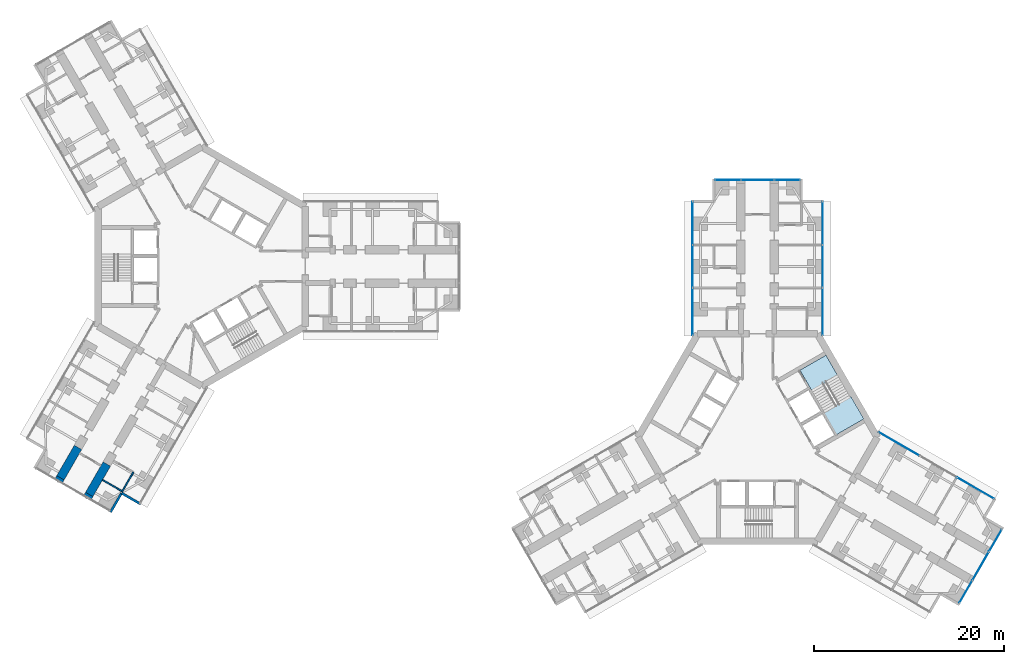
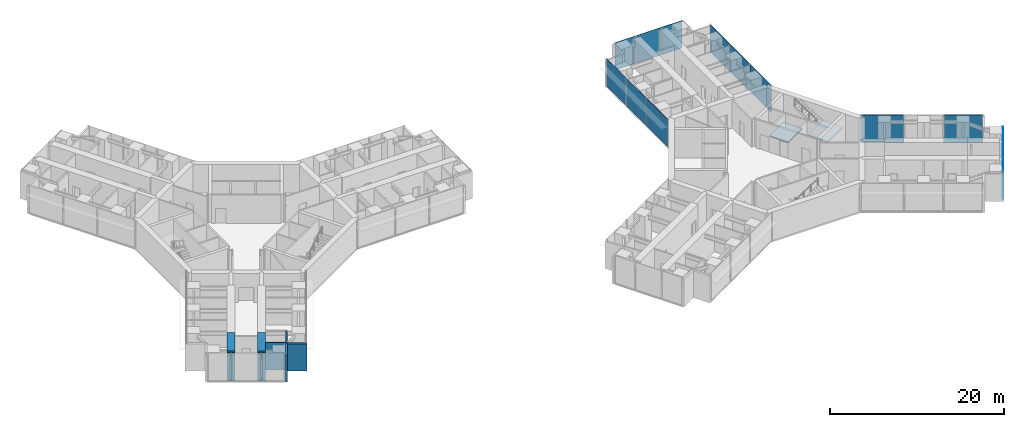
# One storey, part 15 of 24: 14 plates, 8 walls, 2 slabs, 6 elements without a shape of their own.
"""IFC4 building model written with IfcOpenShell, lengths in metres."""

from ifc_helpers import new_model, si_unit, direction, frame, frame_2d, origin, origin_2d, place, context, subcontext, project, spatial, polyline, rectangle, outline, extrude, material, layer, layer_set, type_object, element, aggregate, save


model = new_model("IFC4")

# Units and contexts
model_context = context("Model", 3, precision=1e-05, world=origin(), true_north=direction((0.0, 1.0)))
body_context = subcontext(model_context, "Body", "Model", "MODEL_VIEW")
ifc_project = project(units=[si_unit("LENGTHUNIT", "METRE"), si_unit("AREAUNIT", "SQUARE_METRE"), si_unit("VOLUMEUNIT", "CUBIC_METRE"), si_unit("PLANEANGLEUNIT", "RADIAN"), si_unit("MASSUNIT", "GRAM", prefix="KILO")], contexts=[model_context])

# Site, building, storey
site_placement = place(None, origin())
site = spatial("IfcSite", under=ifc_project, at=site_placement, CompositionType="ELEMENT")
building_placement = place(site_placement, origin())
building = spatial("IfcBuilding", under=site, at=building_placement, Name="Upepo Twin Towers", CompositionType="ELEMENT")
storey_placement = place(building_placement, frame((0.0, 0.0, 48.5)))
storey = spatial("IfcBuildingStorey", under=building, at=storey_placement, Name="L11", CompositionType="ELEMENT", Elevation=48.5)

# Curtain wall, plates
ifc_material_1 = material(Name="Aluminium and fritted glass", Category="aluminium")
curtain_wall_type = type_object("IfcCurtainWallType", Name="Tower curtain wall TW1, fritted glass", PredefinedType="NOTDEFINED", material=ifc_material_1)
curtain_wall_1_placement = place(storey_placement, origin())
curtain_wall_1 = element("IfcCurtainWall", 1, at=curtain_wall_1_placement, inside=storey, type_object=curtain_wall_type, Name="T2 L11 wing A flank L curtain wall", PredefinedType="NOTDEFINED")
ifc_material_2 = material(Name="Ceramic-fritted laminated glass", Category="glass")
ifc_layer_1 = layer(ifc_material_2, 0.031982421875)
ifc_layer_set_1 = layer_set([ifc_layer_1], Name="Fritted glass panel, 25 per cent dot frit, 32 mm double glazed")
plate_type_1 = type_object("IfcPlateType", Name="Fritted glass panel, 25 per cent dot frit, 32 mm double glazed", PredefinedType="CURTAIN_PANEL", material=ifc_layer_set_1)
plate_1_placement = place(storey_placement, frame((51.64990234375, -4.76513671875, 0.14990234375), z_axis=(0.0, 0.0, 1.0), x_axis=(0.0, 1.0, 0.0)))
plate_1 = element("IfcPlate", 2, at=plate_1_placement, type_object=plate_type_1, Name="T2 L11 wing A flank L curtain wall panel 1", PredefinedType="CURTAIN_PANEL", context=body_context, shape_type="SweptSolid", body=[
    extrude(rectangle(XDim=4.96533203125, YDim=0.031982421875, at=origin_2d()), origin(), (0.0, 0.0, 1.0), 3.85009765625),
])
plate_2_placement = place(storey_placement, frame((51.64990234375, 0.0, 0.14990234375), z_axis=(0.0, 0.0, 1.0), x_axis=(0.0, 1.0, 0.0)))
plate_2 = element("IfcPlate", 3, at=plate_2_placement, type_object=plate_type_1, Name="T2 L11 wing A flank L curtain wall panel 2", PredefinedType="CURTAIN_PANEL", context=body_context, shape_type="SweptSolid", body=[
    extrude(rectangle(XDim=4.43505859375, YDim=0.031982421875, at=origin_2d()), origin(), (0.0, 0.0, 1.0), 3.85009765625),
])
plate_3_placement = place(storey_placement, frame((51.64990234375, 4.53369140625, 0.14990234375), z_axis=(0.0, 0.0, 1.0), x_axis=(0.0, 1.0, 0.0)))
plate_3 = element("IfcPlate", 4, at=plate_3_placement, type_object=plate_type_1, Name="T2 L11 wing A flank L curtain wall panel 3", PredefinedType="CURTAIN_PANEL", context=body_context, shape_type="SweptSolid", body=[
    extrude(rectangle(XDim=4.50244140625, YDim=0.031982421875, at=origin_2d()), origin(), (0.0, 0.0, 1.0), 3.85009765625),
])
aggregate(curtain_wall_1, [plate_1, plate_2, plate_3])

curtain_wall_2_placement = place(storey_placement, origin())
curtain_wall_2 = element("IfcCurtainWall", 5, at=curtain_wall_2_placement, inside=storey, type_object=curtain_wall_type, Name="T2 L11 wing A flank R curtain wall", PredefinedType="NOTDEFINED")
plate_4_placement = place(storey_placement, frame((65.35009765625, 4.53369140625, 0.14990234375), z_axis=(0.0, 0.0, 1.0), x_axis=(0.0, -1.0, 0.0)))
plate_4 = element("IfcPlate", 6, at=plate_4_placement, type_object=plate_type_1, Name="T2 L11 wing A flank R curtain wall panel 1", PredefinedType="CURTAIN_PANEL", context=body_context, shape_type="SweptSolid", body=[
    extrude(rectangle(XDim=4.50244140625, YDim=0.031982421875, at=origin_2d()), origin(), (0.0, 0.0, 1.0), 3.85009765625),
])
plate_5_placement = place(storey_placement, frame((65.35009765625, 0.0, 0.14990234375), z_axis=(0.0, 0.0, 1.0), x_axis=(0.0, -1.0, 0.0)))
plate_5 = element("IfcPlate", 7, at=plate_5_placement, type_object=plate_type_1, Name="T2 L11 wing A flank R curtain wall panel 2", PredefinedType="CURTAIN_PANEL", context=body_context, shape_type="SweptSolid", body=[
    extrude(rectangle(XDim=4.43505859375, YDim=0.031982421875, at=origin_2d()), origin(), (0.0, 0.0, 1.0), 3.85009765625),
])
plate_6_placement = place(storey_placement, frame((65.35009765625, -4.76513671875, 0.14990234375), z_axis=(0.0, 0.0, 1.0), x_axis=(0.0, -1.0, 0.0)))
plate_6 = element("IfcPlate", 8, at=plate_6_placement, type_object=plate_type_1, Name="T2 L11 wing A flank R curtain wall panel 3", PredefinedType="CURTAIN_PANEL", context=body_context, shape_type="SweptSolid", body=[
    extrude(rectangle(XDim=4.96533203125, YDim=0.031982421875, at=origin_2d()), origin(), (0.0, 0.0, 1.0), 3.85009765625),
])
aggregate(curtain_wall_2, [plate_4, plate_5, plate_6])

# Curtain wall, plate
curtain_wall_3_placement = place(storey_placement, origin())
curtain_wall_3 = element("IfcCurtainWall", 9, at=curtain_wall_3_placement, inside=storey, type_object=curtain_wall_type, Name="T2 L11 wing A nose curtain wall", PredefinedType="NOTDEFINED")
plate_7_placement = place(storey_placement, frame((58.5, 9.10009765625, 0.14990234375), z_axis=(0.0, 0.0, 1.0), x_axis=(-1.0, 0.0, 0.0)))
plate_7 = element("IfcPlate", 10, at=plate_7_placement, type_object=plate_type_1, Name="T2 L11 wing A nose curtain wall panel 2", PredefinedType="CURTAIN_PANEL", context=body_context, shape_type="SweptSolid", body=[
    extrude(rectangle(XDim=3.43505859375, YDim=0.031982421875, at=origin_2d()), origin(), (0.0, 0.0, 1.0), 3.85009765625),
])

# Curtain wall, plates
curtain_wall_4_placement = place(storey_placement, origin())
curtain_wall_4 = element("IfcCurtainWall", 11, at=curtain_wall_4_placement, inside=storey, type_object=curtain_wall_type, Name="T2 L11 wing C flank L curtain wall", PredefinedType="NOTDEFINED")
plate_8_placement = place(storey_placement, frame((73.38671875, -18.68505859375, 0.14990234375), z_axis=(0.0, 0.0, 1.0), x_axis=(0.866025389682, -0.500000024426, 0.0)))
plate_8 = element("IfcPlate", 12, at=plate_8_placement, type_object=plate_type_1, Name="T2 L11 wing C flank L curtain wall panel 1", PredefinedType="CURTAIN_PANEL", context=body_context, shape_type="SweptSolid", body=[
    extrude(rectangle(XDim=4.96533203125, YDim=0.031982421875, at=origin_2d()), origin(), (0.0, 0.0, 1.0), 3.85009765625),
])
plate_9_placement = place(storey_placement, frame((81.439697265625, -23.334716796875, 0.14990234375), z_axis=(0.0, 0.0, 1.0), x_axis=(0.866025389682, -0.500000024426, 0.0)))
plate_9 = element("IfcPlate", 13, at=plate_9_placement, type_object=plate_type_1, Name="T2 L11 wing C flank L curtain wall panel 3", PredefinedType="CURTAIN_PANEL", context=body_context, shape_type="SweptSolid", body=[
    extrude(rectangle(XDim=4.50244140625, YDim=0.031982421875, at=origin_2d()), origin(), (0.0, 0.0, 1.0), 3.85009765625),
])
aggregate(curtain_wall_4, [plate_8, plate_9])

# Curtain wall, plate
curtain_wall_5_placement = place(storey_placement, origin())
curtain_wall_5 = element("IfcCurtainWall", 14, at=curtain_wall_5_placement, inside=storey, type_object=curtain_wall_type, Name="T2 L11 wing C nose curtain wall", PredefinedType="NOTDEFINED")
plate_10_placement = place(storey_placement, frame((81.96923828125, -31.550048828125, 0.14990234375), z_axis=(0.0, 0.0, 1.0), x_axis=(0.500000030502, 0.866025386174, 0.0)))
plate_10 = element("IfcPlate", 15, at=plate_10_placement, type_object=plate_type_1, Name="T2 L11 wing C nose curtain wall panel 2", PredefinedType="CURTAIN_PANEL", context=body_context, shape_type="SweptSolid", body=[
    extrude(rectangle(XDim=3.43505859375, YDim=0.031982421875, at=origin_2d()), origin(), (0.0, 0.0, 1.0), 3.85009765625),
])

# Plate
ifc_material_3 = material(Name="Clear laminated glass in opening sash", Category="glass")
ifc_layer_2 = layer(ifc_material_3, 0.031982421875)
ifc_layer_set_2 = layer_set([ifc_layer_2], Name="Operable glass panel, 32 mm double glazed")
plate_type_2 = type_object("IfcPlateType", Name="Operable glass panel, 32 mm double glazed", PredefinedType="CURTAIN_PANEL", material=ifc_layer_set_2)
plate_11_placement = place(storey_placement, frame((61.608642578125, 9.10009765625, 0.14990234375), z_axis=(0.0, 0.0, 1.0), x_axis=(-1.0, 0.0, 0.0)))
plate_11 = element("IfcPlate", 16, at=plate_11_placement, type_object=plate_type_2, Name="T2 L11 wing A nose curtain wall panel 1", PredefinedType="CURTAIN_PANEL", context=body_context, shape_type="SweptSolid", body=[
    extrude(rectangle(XDim=2.652587890625, YDim=0.031982421875, at=origin_2d()), origin(), (0.0, 0.0, 1.0), 3.85009765625),
])

plate_12_placement = place(storey_placement, frame((55.391357421875, 9.10009765625, 0.14990234375), z_axis=(0.0, 0.0, 1.0), x_axis=(-1.0, 0.0, 0.0)))
plate_12 = element("IfcPlate", 17, at=plate_12_placement, type_object=plate_type_2, Name="T2 L11 wing A nose curtain wall panel 3", PredefinedType="CURTAIN_PANEL", context=body_context, shape_type="SweptSolid", body=[
    extrude(rectangle(XDim=2.652587890625, YDim=0.031982421875, at=origin_2d()), origin(), (0.0, 0.0, 1.0), 3.85009765625),
])

aggregate(curtain_wall_3, [plate_11, plate_7, plate_12])

plate_13_placement = place(storey_placement, frame((80.414794921875, -34.2421875, 0.14990234375), z_axis=(0.0, 0.0, 1.0), x_axis=(0.500000030502, 0.866025386174, 0.0)))
plate_13 = element("IfcPlate", 18, at=plate_13_placement, type_object=plate_type_2, Name="T2 L11 wing C nose curtain wall panel 1", PredefinedType="CURTAIN_PANEL", context=body_context, shape_type="SweptSolid", body=[
    extrude(rectangle(XDim=2.652587890625, YDim=0.031982421875, at=origin_2d()), origin(), (0.0, 0.0, 1.0), 3.85009765625),
])

plate_14_placement = place(storey_placement, frame((83.523681640625, -28.857666015625, 0.14990234375), z_axis=(0.0, 0.0, 1.0), x_axis=(0.500000030502, 0.866025386174, 0.0)))
plate_14 = element("IfcPlate", 19, at=plate_14_placement, type_object=plate_type_2, Name="T2 L11 wing C nose curtain wall panel 3", PredefinedType="CURTAIN_PANEL", context=body_context, shape_type="SweptSolid", body=[
    extrude(rectangle(XDim=2.652587890625, YDim=0.031982421875, at=origin_2d()), origin(), (0.0, 0.0, 1.0), 3.85009765625),
])

aggregate(curtain_wall_5, [plate_13, plate_10, plate_14])

# Stair, slabs
ifc_material_4 = material(Name="Concrete C40/50", Category="concrete")
stair_type = type_object("IfcStairType", Name="Core stair, two flights", PredefinedType="HALF_TURN_STAIR", material=ifc_material_4)
stair_placement = place(storey_placement, origin())
stair = element("IfcStair", 20, at=stair_placement, inside=storey, type_object=stair_type, Name="T2 stair S2 L11", PredefinedType="HALF_TURN_STAIR")
ifc_material_5 = material(Name="Concrete C40/50", Category="concrete")
ifc_layer_3 = layer(ifc_material_5, 0.199951171875)
ifc_layer_set_3 = layer_set([ifc_layer_3], Name="Concrete C40/50")
slab_type = type_object("IfcSlabType", Name="Stair landing 200 RC", PredefinedType="LANDING", material=ifc_layer_set_3)
slab_1_placement = place(storey_placement, frame((0.0, 0.0, -0.199951171875)))
slab_1 = element("IfcSlab", 21, at=slab_1_placement, type_object=slab_type, Name="Stair S2 landing 1", PredefinedType="LANDING", context=body_context, shape_type="SweptSolid", body=[
    extrude(outline(polyline([(64.198486328125, -13.0703125), (66.933837890625, -11.490966796875), (65.69384765625, -9.34326171875), (62.95849609375, -10.922607421875), (64.198486328125, -13.0703125)])), origin(), (0.0, 0.0, 1.0), 0.199951171875),
])
slab_2_placement = place(storey_placement, frame((0.0, 0.0, 1.800048828125)))
slab_2 = element("IfcSlab", 22, at=slab_2_placement, type_object=slab_type, Name="Stair S2 landing 2", PredefinedType="LANDING", context=body_context, shape_type="SweptSolid", body=[
    extrude(outline(polyline([(66.77197265625, -17.7275390625), (69.680419921875, -16.04833984375), (68.3203125, -13.692626953125), (65.411865234375, -15.371826171875), (66.77197265625, -17.7275390625)])), origin(), (0.0, 0.0, 1.0), 0.199951171875),
])
aggregate(stair, [slab_1, slab_2])

# Walls
ifc_material_6 = material(Name="Dense concrete blockwork", Category="masonry")
ifc_layer_4 = layer(ifc_material_6, 0.89990234375)
ifc_layer_set_4 = layer_set([ifc_layer_4], Name="Buttress closer 900, blockwork with fire-stopping to the curtain wall")
wall_type_1 = type_object("IfcWallType", Name="Buttress closer 900, blockwork with fire-stopping to the curtain wall", PredefinedType="PARTITIONING", material=ifc_layer_set_4)
for number, where, z_axis, x_axis, name in (
    (23, (-11.83447265625, -23.997802734375, 0.0), (0.0, 0.0, 1.0), (-0.499949632511, -0.866054481515, 0.0), "T1 L11 wing C buttress closer L"),
    (24, (-14.865478515625, -22.247802734375, 0.0), (0.0, 0.0, 1.0), (-0.499949632511, -0.866054481515, 0.0), "T1 L11 wing C buttress closer R"),
):
    element("IfcWall", number, at=place(storey_placement, frame(where, z_axis=z_axis, x_axis=x_axis)), inside=storey, type_object=wall_type_1, Name=name, PredefinedType="PARTITIONING", context=body_context, shape_type="SweptSolid", body=[
        extrude(rectangle(XDim=0.31005859375, YDim=0.89990234375, at=frame_2d((0.155029296875, 0.0))), origin(), (0.0, 0.0, 1.0), 3.800048828125),
    ])
ifc_material_7 = material(Name="Concrete C60/75", Category="concrete")
ifc_layer_5 = layer(ifc_material_7, 0.89990234375)
ifc_layer_set_5 = layer_set([ifc_layer_5], Name="Concrete C60/75")
wall_type_2 = type_object("IfcWallType", Name="Buttress wall 900 RC", PredefinedType="SHEAR", material=ifc_layer_set_5)
wall_1_placement = place(storey_placement, frame((-9.984375, -20.793701171875, 0.0), z_axis=(0.0, 0.0, 1.0), x_axis=(-0.500042316284, -0.866000971088, 0.0)))
element("IfcWall", 25, at=wall_1_placement, inside=storey, type_object=wall_type_2, Name="T1 wing C buttress wall L part 3", PredefinedType="SHEAR", context=body_context, shape_type="SweptSolid", body=[
    extrude(rectangle(XDim=3.699951171875, YDim=0.89990234375, at=frame_2d((1.85009765625, 0.0))), origin(), (0.0, 0.0, 1.0), 4.0),
])
wall_2_placement = place(storey_placement, frame((-13.015625, -19.043701171875, 0.0), z_axis=(0.0, 0.0, 1.0), x_axis=(-0.499992827086, -0.866029545028, 0.0)))
element("IfcWall", 26, at=wall_2_placement, inside=storey, type_object=wall_type_2, Name="T1 wing C buttress wall R part 3", PredefinedType="SHEAR", context=body_context, shape_type="SweptSolid", body=[
    extrude(rectangle(XDim=3.69970703125, YDim=0.89990234375, at=frame_2d((1.849853515625, 0.0))), origin(), (0.0, 0.0, 1.0), 4.0),
])
ifc_material_8 = material(Name="Blockwork with anodised aluminium cladding", Category="masonry")
ifc_layer_6 = layer(ifc_material_8, 0.25)
ifc_layer_set_6 = layer_set([ifc_layer_6], Name="Notch cladding wall 250, pale metal")
wall_type_3 = type_object("IfcWallType", Name="Notch cladding wall 250, pale metal", PredefinedType="STANDARD", material=ifc_layer_set_6)
for number, where, z_axis, x_axis, name in (
    (27, (-6.418701171875, -25.017333984375, 0.0), (0.0, 0.0, 1.0), (-0.866043940782, 0.499967891604, 0.0), "T1 L11 wing C notch wall L1"),
    (28, (-8.43212890625, -23.85498046875, 0.0), (0.0, 0.0, 1.0), (-0.500046648681, -0.865998469481, 0.0), "T1 L11 wing C notch wall L2"),
):
    element("IfcWall", number, at=place(storey_placement, frame(where, z_axis=z_axis, x_axis=x_axis)), inside=storey, type_object=wall_type_3, Name=name, PredefinedType="STANDARD", context=body_context, shape_type="SweptSolid", body=[
        extrude(rectangle(XDim=2.324951171875, YDim=0.25, at=frame_2d((1.16259765625, 0.0))), origin(), (0.0, 0.0, 1.0), 3.800048828125),
    ])
ifc_material_9 = material(Name="Gypsum board on steel studs", Category="steel")
ifc_layer_7 = layer(ifc_material_9, 0.14990234375)
ifc_layer_set_7 = layer_set([ifc_layer_7], Name="Teaching partition 150 acoustic")
wall_type_4 = type_object("IfcWallType", Name="Teaching partition 150 acoustic", PredefinedType="PARTITIONING", material=ifc_layer_set_7)
for number, where, z_axis, x_axis, name in (
    (29, (-7.191162109375, -21.65576171875, 0.0), (0.0, 0.0, 1.0), (-0.500077600433, -0.865980596518, 0.0), "T1 inner room partition CL at 22.35"),
    (30, (-10.43212890625, -22.46923828125, 0.0), (0.0, 0.0, 1.0), (0.866024647952, -0.500001309137, 0.0), "T1 inner room partition CL end at 24.75"),
):
    element("IfcWall", number, at=place(storey_placement, frame(where, z_axis=z_axis, x_axis=x_axis)), inside=storey, type_object=wall_type_4, Name=name, PredefinedType="PARTITIONING", context=body_context, shape_type="SweptSolid", body=[
        extrude(rectangle(XDim=2.39990234375, YDim=0.14990234375, at=frame_2d((1.199951171875, 0.0))), origin(), (0.0, 0.0, 1.0), 3.800048828125),
    ])

save(model, "model.ifc")
